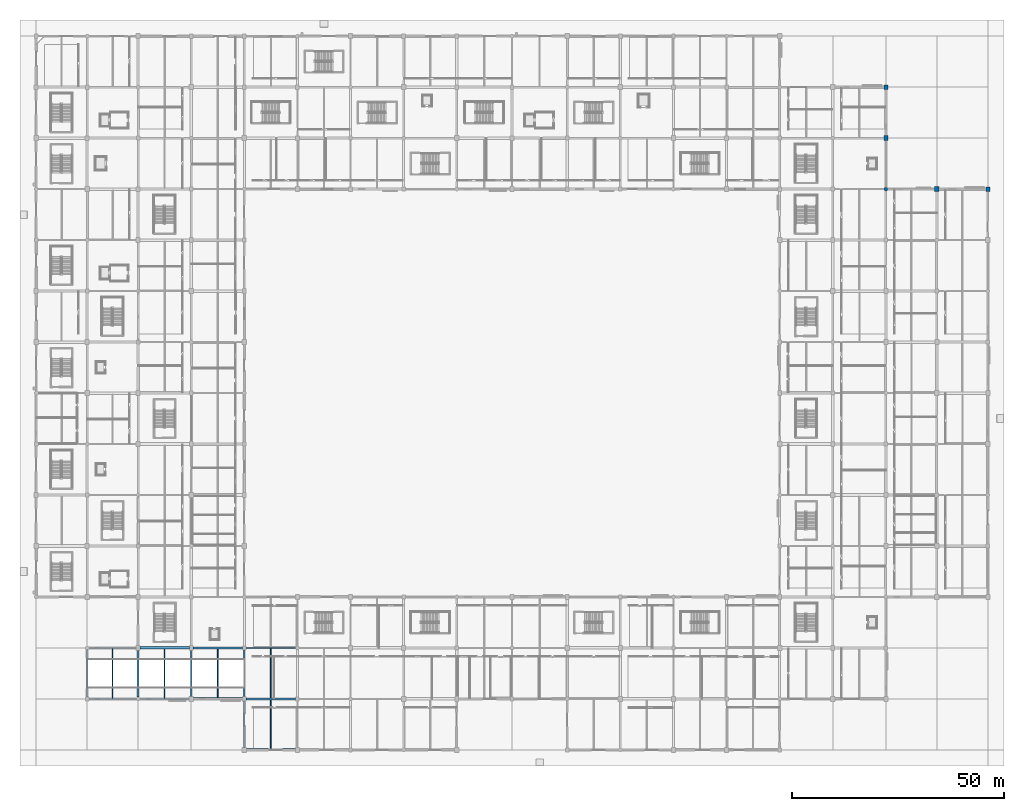
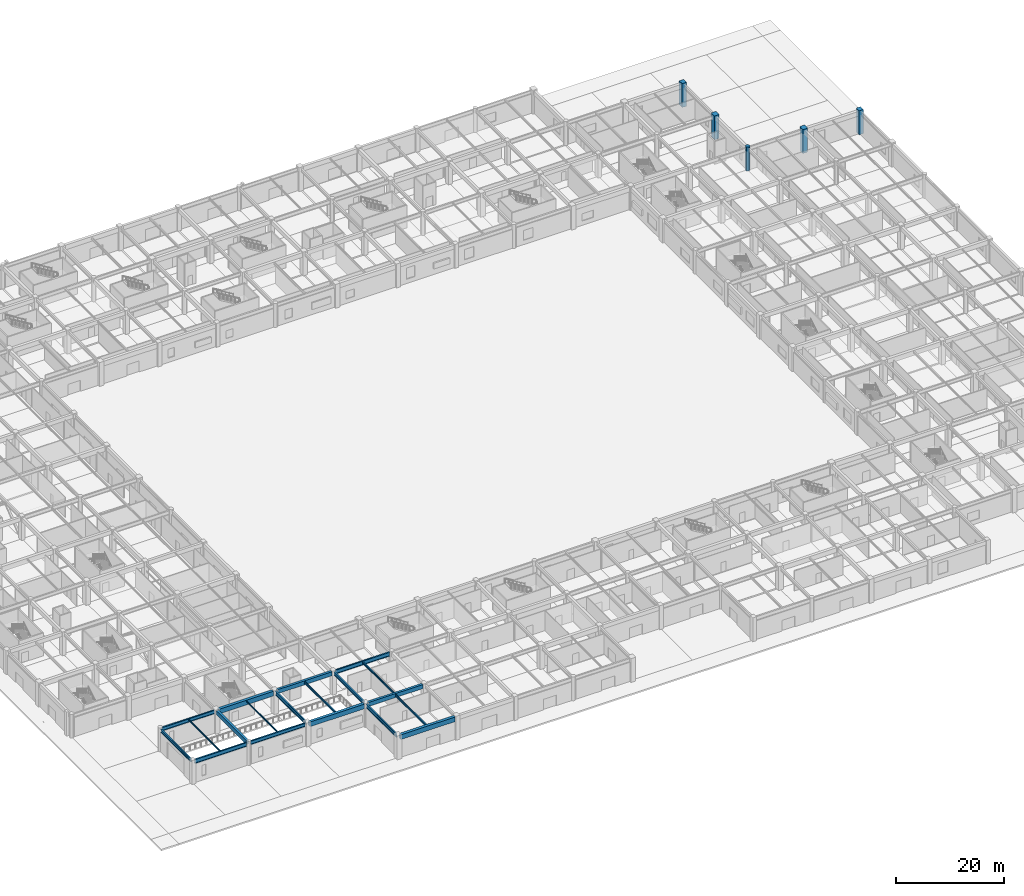
# One storey, part 4 of 69: 19 beams, 5 columns.
"""IFC4 building model written with IfcOpenShell, lengths in metres."""

from ifc_helpers import new_model, si_unit, direction, frame, origin, origin_2d, place, context, subcontext, project, spatial, rectangle, circle, i_section, extrude, material, material_profile, profile_set, type_object, element, save


model = new_model("IFC4")

# Units and contexts
model_context = context("Model", 3, precision=1e-05, world=origin(), true_north=direction((0.0, 1.0)))
body_context = subcontext(model_context, "Body", "Model", "MODEL_VIEW")
ifc_project = project(units=[si_unit("LENGTHUNIT", "METRE"), si_unit("AREAUNIT", "SQUARE_METRE"), si_unit("VOLUMEUNIT", "CUBIC_METRE"), si_unit("PLANEANGLEUNIT", "RADIAN"), si_unit("MASSUNIT", "GRAM", prefix="KILO")], contexts=[model_context])

# Site, building, storey
site_placement = place(None, origin())
site = spatial("IfcSite", under=ifc_project, at=site_placement, CompositionType="ELEMENT")
building_placement = place(site_placement, origin())
building = spatial("IfcBuilding", under=site, at=building_placement, Name="Kazenohara Klinker Stadium", CompositionType="ELEMENT")
storey_placement = place(building_placement, origin())
storey = spatial("IfcBuildingStorey", under=building, at=storey_placement, Name="L00", CompositionType="ELEMENT", Elevation=0.0)

# Columns
ifc_material_1 = material(Name="Concrete C40/50", Category="concrete")
ifc_material_profile_1 = material_profile(ifc_material_1, rectangle(XDim=1.0, YDim=1.199951171875, at=origin_2d()), Name="RC-COL-1200x1000")
ifc_profile_set_1 = profile_set([ifc_material_profile_1], Name="Concrete C40/50")
column_type_1 = type_object("IfcColumnType", Name="COL-RC01", PredefinedType="COLUMN", material=ifc_profile_set_1)
for number, where, z_axis, x_axis, name in (
    (1, (200.0, 144.0, 0.0), (0.0, 0.0, 1.0), (1.0, 0.0, 0.0), "Column C01 L00 17/N"),
    (2, (212.0, 132.0, 0.0), (0.0, 0.0, 1.0), (1.0, 0.0, 0.0), "Column C01 L00 18/M"),
):
    element("IfcColumn", number, at=place(storey_placement, frame(where, z_axis=z_axis, x_axis=x_axis)), inside=storey, type_object=column_type_1, Name=name, PredefinedType="COLUMN", context=body_context, shape_type="SweptSolid", body=[
        extrude(rectangle(XDim=1.0, YDim=1.199951171875, at=origin_2d()), origin(), (0.0, 0.0, 1.0), 5.39990234375),
    ])
ifc_material_profile_2 = material_profile(ifc_material_1, rectangle(XDim=0.89990234375, YDim=1.10009765625, at=origin_2d()), Name="RC-COL-1100x900")
ifc_profile_set_2 = profile_set([ifc_material_profile_2], Name="Concrete C40/50")
column_type_2 = type_object("IfcColumnType", Name="COL-RC02", PredefinedType="COLUMN", material=ifc_profile_set_2)
for number, where, z_axis, x_axis, name in (
    (3, (200.0, 156.0, 0.0), (0.0, 0.0, 1.0), (1.0, 0.0, 0.0), "Column C02 L00 17/P"),
    (4, (224.0, 132.0, 0.0), (0.0, 0.0, 1.0), (1.0, 0.0, 0.0), "Column C02 L00 19/M"),
):
    element("IfcColumn", number, at=place(storey_placement, frame(where, z_axis=z_axis, x_axis=x_axis)), inside=storey, type_object=column_type_2, Name=name, PredefinedType="COLUMN", context=body_context, shape_type="SweptSolid", body=[
        extrude(rectangle(XDim=0.89990234375, YDim=1.10009765625, at=origin_2d()), origin(), (0.0, 0.0, 1.0), 5.39990234375),
    ])
ifc_material_profile_3 = material_profile(ifc_material_1, circle(Radius=0.425048828125, at=origin_2d()), Name="RC-COL-D850")
ifc_profile_set_3 = profile_set([ifc_material_profile_3], Name="Concrete C40/50")
column_type_3 = type_object("IfcColumnType", Name="COL-RC08", PredefinedType="COLUMN", material=ifc_profile_set_3)
column_placement = place(storey_placement, frame((200.0, 132.0, 0.0), z_axis=(0.0, 0.0, 1.0), x_axis=(1.0, 0.0, 0.0)))
element("IfcColumn", 5, at=column_placement, inside=storey, type_object=column_type_3, Name="Column C08 L00 17/M", PredefinedType="COLUMN", context=body_context, shape_type="SweptSolid", body=[
    extrude(circle(Radius=0.425048828125, at=origin_2d()), origin(), (0.0, 0.0, 1.0), 5.39990234375),
])

# Beams
ifc_material_2 = material(Name="Steel S355", Category="steel")
ifc_material_profile_4 = material_profile(ifc_material_2, i_section(OverallWidth=0.199951171875, OverallDepth=0.5, WebThickness=0.010009765625, FlangeThickness=0.01611328125, FilletRadius=0.012939453125, at=origin_2d()), Name="H-500x200x10x16")
ifc_profile_set_4 = profile_set([ifc_material_profile_4], Name="Steel S355")
beam_type_1 = type_object("IfcBeamType", Name="BM-JST01", PredefinedType="JOIST", material=ifc_profile_set_4)
for number, where, z_axis, x_axis, name in (
    (6, (42.75, 12.300048828125, 4.889892578125), (0.0, 1.0, 0.0), (-1.0, 0.0, 0.0), "Secondary floor joist SJ01 L00 4/B"),
    (7, (55.25, 0.300048828125, 4.889892578125), (0.0, 1.0, 0.0), (-1.0, 0.0, 0.0), "Secondary floor joist SJ01 L00 5/A"),
):
    element("IfcBeam", number, at=place(storey_placement, frame(where, z_axis=z_axis, x_axis=x_axis)), inside=storey, type_object=beam_type_1, Name=name, PredefinedType="JOIST", context=body_context, shape_type="SweptSolid", body=[
        extrude(i_section(OverallWidth=0.199951171875, OverallDepth=0.5, WebThickness=0.010009765625, FlangeThickness=0.01611328125, FilletRadius=0.012939453125, at=origin_2d()), origin(), (0.0, 0.0, 1.0), 11.449951171875),
    ])
ifc_material_profile_5 = material_profile(ifc_material_2, i_section(OverallWidth=0.199951171875, OverallDepth=0.449951171875, WebThickness=0.009033203125, FlangeThickness=0.013916015625, FilletRadius=0.012939453125, at=origin_2d()), Name="H-450x200x9x14")
ifc_profile_set_5 = profile_set([ifc_material_profile_5], Name="Steel S355")
beam_type_2 = type_object("IfcBeamType", Name="BM-JST02", PredefinedType="JOIST", material=ifc_profile_set_5)
beam_1_placement = place(storey_placement, frame((55.25, 12.25, 4.9150390625), z_axis=(0.0, 1.0, 0.0), x_axis=(-1.0, 0.0, 0.0)))
element("IfcBeam", 8, at=beam_1_placement, inside=storey, type_object=beam_type_2, Name="Secondary floor joist SJ02 L00 5/B", PredefinedType="JOIST", context=body_context, shape_type="SweptSolid", body=[
    extrude(i_section(OverallWidth=0.199951171875, OverallDepth=0.449951171875, WebThickness=0.009033203125, FlangeThickness=0.013916015625, FilletRadius=0.012939453125, at=origin_2d()), origin(), (0.0, 0.0, 1.0), 11.60009765625),
])
ifc_material_profile_6 = material_profile(ifc_material_2, i_section(OverallWidth=0.175048828125, OverallDepth=0.35009765625, WebThickness=0.007080078125, FlangeThickness=0.010986328125, FilletRadius=0.012939453125, at=origin_2d()), Name="H-350x175x7x11")
ifc_profile_set_6 = profile_set([ifc_material_profile_6], Name="Steel S355")
beam_type_3 = type_object("IfcBeamType", Name="BM-JST04", PredefinedType="JOIST", material=ifc_profile_set_6)
beam_2_placement = place(storey_placement, frame((18.0, 12.14990234375, 4.965087890625), z_axis=(0.0, 1.0, 0.0), x_axis=(-1.0, 0.0, 0.0)))
element("IfcBeam", 9, at=beam_2_placement, inside=storey, type_object=beam_type_3, Name="Secondary floor joist SJ04 L00 2/B", PredefinedType="JOIST", context=body_context, shape_type="SweptSolid", body=[
    extrude(i_section(OverallWidth=0.175048828125, OverallDepth=0.35009765625, WebThickness=0.007080078125, FlangeThickness=0.010986328125, FilletRadius=0.012939453125, at=origin_2d()), origin(), (0.0, 0.0, 1.0), 11.7001953125),
])
ifc_material_profile_7 = material_profile(ifc_material_2, i_section(OverallWidth=0.14990234375, OverallDepth=0.300048828125, WebThickness=0.006591796875, FlangeThickness=0.009033203125, FilletRadius=0.012939453125, at=origin_2d()), Name="H-300x150x6.5x9")
ifc_profile_set_7 = profile_set([ifc_material_profile_7], Name="Steel S355")
beam_type_4 = type_object("IfcBeamType", Name="BM-JST05", PredefinedType="JOIST", material=ifc_profile_set_7)
beam_3_placement = place(storey_placement, frame((30.25, 12.14990234375, 4.989990234375), z_axis=(0.0, 1.0, 0.0), x_axis=(-1.0, 0.0, 0.0)))
element("IfcBeam", 10, at=beam_3_placement, inside=storey, type_object=beam_type_4, Name="Secondary floor joist SJ05 L00 3/B", PredefinedType="JOIST", context=body_context, shape_type="SweptSolid", body=[
    extrude(i_section(OverallWidth=0.14990234375, OverallDepth=0.300048828125, WebThickness=0.006591796875, FlangeThickness=0.009033203125, FilletRadius=0.012939453125, at=origin_2d()), origin(), (0.0, 0.0, 1.0), 11.550048828125),
])
ifc_material_profile_8 = material_profile(ifc_material_1, rectangle(XDim=0.60009765625, YDim=1.050048828125, at=origin_2d()), Name="RC-BM-600x1050")
ifc_profile_set_8 = profile_set([ifc_material_profile_8], Name="Concrete C40/50")
beam_type_5 = type_object("IfcBeamType", Name="BM-RC01", PredefinedType="BEAM", material=ifc_profile_set_8)
for number, where, z_axis, x_axis, name in (
    (11, (24.419921875, 24.0, 4.614990234375), (1.0, 0.0, 0.0), (0.0, 1.0, 0.0), "Primary girder BG01 L00 3-4/C"),
    (12, (36.919921875, 12.0, 4.614990234375), (1.0, 0.0, 0.0), (0.0, 1.0, 0.0), "Primary girder BG01 L00 4-5/B"),
    (13, (49.419921875, 0.0, 4.614990234375), (1.0, 0.0, 0.0), (0.0, 1.0, 0.0), "Primary girder BG01 L00 5-6/A"),
):
    element("IfcBeam", number, at=place(storey_placement, frame(where, z_axis=z_axis, x_axis=x_axis)), inside=storey, type_object=beam_type_5, Name=name, PredefinedType="BEAM", context=body_context, shape_type="SweptSolid", body=[
        extrude(rectangle(XDim=0.60009765625, YDim=1.050048828125, at=origin_2d()), origin(), (0.0, 0.0, 1.0), 11.66015625),
    ])
ifc_material_profile_9 = material_profile(ifc_material_1, rectangle(XDim=0.5, YDim=0.89990234375, at=origin_2d()), Name="RC-BM-500x900")
ifc_profile_set_9 = profile_set([ifc_material_profile_9], Name="Concrete C40/50")
beam_type_6 = type_object("IfcBeamType", Name="BM-RC02", PredefinedType="BEAM", material=ifc_profile_set_9)
for number, where, z_axis, x_axis, name in (
    (14, (36.919921875, 24.0, 4.68994140625), (1.0, 0.0, 0.0), (0.0, 1.0, 0.0), "Primary girder BG02 L00 4-5/C"),
    (15, (49.419921875, 12.0, 4.68994140625), (1.0, 0.0, 0.0), (0.0, 1.0, 0.0), "Primary girder BG02 L00 5-6/B"),
):
    element("IfcBeam", number, at=place(storey_placement, frame(where, z_axis=z_axis, x_axis=x_axis)), inside=storey, type_object=beam_type_6, Name=name, PredefinedType="BEAM", context=body_context, shape_type="SweptSolid", body=[
        extrude(rectangle(XDim=0.5, YDim=0.89990234375, at=origin_2d()), origin(), (0.0, 0.0, 1.0), 11.68017578125),
    ])
beam_4_placement = place(storey_placement, frame((24.0, 12.419921875, 4.68994140625), z_axis=(0.0, 1.0, 0.0), x_axis=(-1.0, 0.0, 0.0)))
element("IfcBeam", 16, at=beam_4_placement, inside=storey, type_object=beam_type_6, Name="Primary girder BG02 L00 3/B-C", PredefinedType="BEAM", context=body_context, shape_type="SweptSolid", body=[
    extrude(rectangle(XDim=0.5, YDim=0.89990234375, at=origin_2d()), origin(), (0.0, 0.0, 1.0), 11.16015625),
])
ifc_material_profile_10 = material_profile(ifc_material_2, i_section(OverallWidth=0.300048828125, OverallDepth=0.89990234375, WebThickness=0.01611328125, FlangeThickness=0.028076171875, FilletRadius=0.02197265625, at=origin_2d()), Name="H-900x300x16x28")
ifc_profile_set_10 = profile_set([ifc_material_profile_10], Name="Steel S355")
beam_type_7 = type_object("IfcBeamType", Name="BM-ST01", PredefinedType="BEAM", material=ifc_profile_set_10)
beam_5_placement = place(storey_placement, frame((12.39990234375, 12.0, 4.68994140625), z_axis=(1.0, 0.0, 0.0), x_axis=(0.0, 1.0, 0.0)))
element("IfcBeam", 17, at=beam_5_placement, inside=storey, type_object=beam_type_7, Name="Primary girder SB01 L00 2-3/B", PredefinedType="BEAM", context=body_context, shape_type="SweptSolid", body=[
    extrude(i_section(OverallWidth=0.300048828125, OverallDepth=0.89990234375, WebThickness=0.01611328125, FlangeThickness=0.028076171875, FilletRadius=0.02197265625, at=origin_2d()), origin(), (0.0, 0.0, 1.0), 11.18017578125),
])
beam_6_placement = place(storey_placement, frame((49.39990234375, 24.0, 4.68994140625), z_axis=(1.0, 0.0, 0.0), x_axis=(0.0, 1.0, 0.0)))
element("IfcBeam", 18, at=beam_6_placement, inside=storey, type_object=beam_type_7, Name="Primary girder SB01 L00 5-6/C", PredefinedType="BEAM", context=body_context, shape_type="SweptSolid", body=[
    extrude(i_section(OverallWidth=0.300048828125, OverallDepth=0.89990234375, WebThickness=0.01611328125, FlangeThickness=0.028076171875, FilletRadius=0.02197265625, at=origin_2d()), origin(), (0.0, 0.0, 1.0), 11.68017578125),
])
ifc_material_profile_11 = material_profile(ifc_material_2, i_section(OverallWidth=0.300048828125, OverallDepth=0.800048828125, WebThickness=0.013916015625, FlangeThickness=0.02587890625, FilletRadius=0.02197265625, at=origin_2d()), Name="H-800x300x14x26")
ifc_profile_set_11 = profile_set([ifc_material_profile_11], Name="Steel S355")
beam_type_8 = type_object("IfcBeamType", Name="BM-ST02", PredefinedType="BEAM", material=ifc_profile_set_11)
beam_7_placement = place(storey_placement, frame((12.419921875, 24.0, 4.739990234375), z_axis=(1.0, 0.0, 0.0), x_axis=(0.0, 1.0, 0.0)))
element("IfcBeam", 19, at=beam_7_placement, inside=storey, type_object=beam_type_8, Name="Primary girder SB02 L00 2-3/C", PredefinedType="BEAM", context=body_context, shape_type="SweptSolid", body=[
    extrude(i_section(OverallWidth=0.300048828125, OverallDepth=0.800048828125, WebThickness=0.013916015625, FlangeThickness=0.02587890625, FilletRadius=0.02197265625, at=origin_2d()), origin(), (0.0, 0.0, 1.0), 11.16015625),
])
beam_8_placement = place(storey_placement, frame((24.419921875, 12.0, 4.739990234375), z_axis=(1.0, 0.0, 0.0), x_axis=(0.0, 1.0, 0.0)))
element("IfcBeam", 20, at=beam_8_placement, inside=storey, type_object=beam_type_8, Name="Primary girder SB02 L00 3-4/B", PredefinedType="BEAM", context=body_context, shape_type="SweptSolid", body=[
    extrude(i_section(OverallWidth=0.300048828125, OverallDepth=0.800048828125, WebThickness=0.013916015625, FlangeThickness=0.02587890625, FilletRadius=0.02197265625, at=origin_2d()), origin(), (0.0, 0.0, 1.0), 11.66015625),
])
for number, where, z_axis, x_axis, name in (
    (21, (36.5, 12.419921875, 4.739990234375), (0.0, 1.0, 0.0), (-1.0, 0.0, 0.0), "Primary girder SB02 L00 4/B-C"),
    (22, (49.0, 0.419921875, 4.739990234375), (0.0, 1.0, 0.0), (-1.0, 0.0, 0.0), "Primary girder SB02 L00 5/A-B"),
):
    element("IfcBeam", number, at=place(storey_placement, frame(where, z_axis=z_axis, x_axis=x_axis)), inside=storey, type_object=beam_type_8, Name=name, PredefinedType="BEAM", context=body_context, shape_type="SweptSolid", body=[
        extrude(i_section(OverallWidth=0.300048828125, OverallDepth=0.800048828125, WebThickness=0.013916015625, FlangeThickness=0.02587890625, FilletRadius=0.02197265625, at=origin_2d()), origin(), (0.0, 0.0, 1.0), 11.16015625),
    ])
ifc_material_profile_12 = material_profile(ifc_material_2, i_section(OverallWidth=0.300048828125, OverallDepth=0.699951171875, WebThickness=0.012939453125, FlangeThickness=0.02392578125, FilletRadius=0.02197265625, at=origin_2d()), Name="H-700x300x13x24")
ifc_profile_set_12 = profile_set([ifc_material_profile_12], Name="Steel S355")
beam_type_9 = type_object("IfcBeamType", Name="BM-ST03", PredefinedType="BEAM", material=ifc_profile_set_12)
for number, where, z_axis, x_axis, name in (
    (23, (12.0, 12.419921875, 4.7900390625), (0.0, 1.0, 0.0), (-1.0, 0.0, 0.0), "Primary girder SB03 L00 2/B-C"),
    (24, (49.0, 12.419921875, 4.7900390625), (0.0, 1.0, 0.0), (-1.0, 0.0, 0.0), "Primary girder SB03 L00 5/B-C"),
):
    element("IfcBeam", number, at=place(storey_placement, frame(where, z_axis=z_axis, x_axis=x_axis)), inside=storey, type_object=beam_type_9, Name=name, PredefinedType="BEAM", context=body_context, shape_type="SweptSolid", body=[
        extrude(i_section(OverallWidth=0.300048828125, OverallDepth=0.699951171875, WebThickness=0.012939453125, FlangeThickness=0.02392578125, FilletRadius=0.02197265625, at=origin_2d()), origin(), (0.0, 0.0, 1.0), 11.16015625),
    ])

save(model, "model.ifc")
